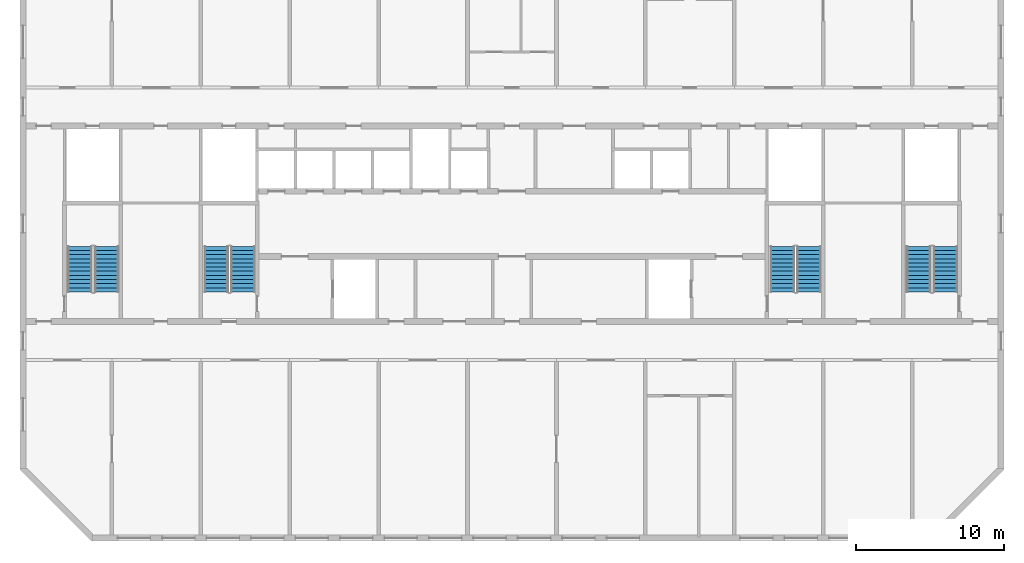
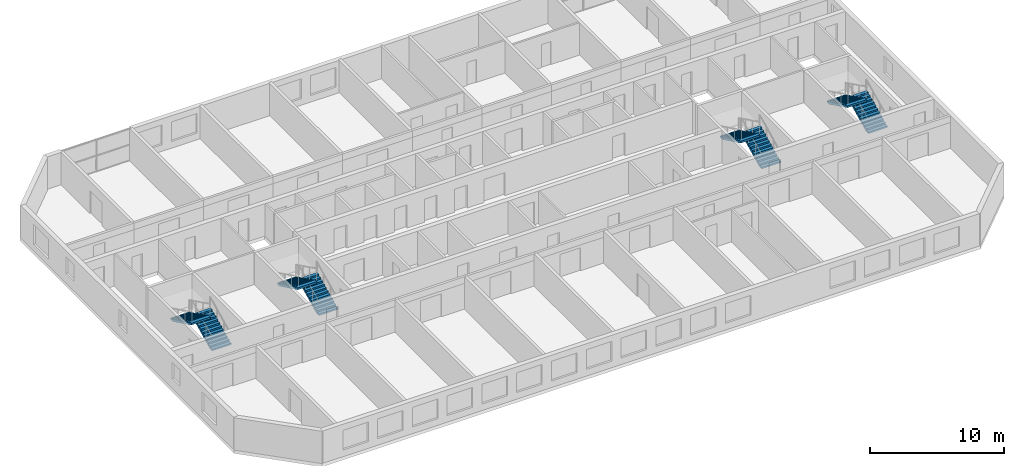
# One storey, part 11 of 13: 8 stair flights, 4 elements without a shape of their own.
"""IFC4 building model written with IfcOpenShell, lengths in metres."""

from ifc_helpers import new_model, si_unit, direction, frame, origin, place, context, subcontext, project, spatial, polyline, outline, extrude, material, layer, layer_set, type_object, element, aggregate, save


model = new_model("IFC4")

# Units and contexts
model_context = context("Model", 3, precision=1e-05, world=origin(), true_north=direction((0.0, 1.0)))
body_context = subcontext(model_context, "Body", "Model", "MODEL_VIEW")
ifc_project = project(units=[si_unit("LENGTHUNIT", "METRE"), si_unit("AREAUNIT", "SQUARE_METRE"), si_unit("VOLUMEUNIT", "CUBIC_METRE"), si_unit("PLANEANGLEUNIT", "RADIAN"), si_unit("MASSUNIT", "GRAM", prefix="KILO")], contexts=[model_context])

# Site, building, storey
site_placement = place(None, origin())
site = spatial("IfcSite", under=ifc_project, at=site_placement, CompositionType="ELEMENT")
building_placement = place(site_placement, origin())
building = spatial("IfcBuilding", under=site, at=building_placement, Name="Poui Terraces", CompositionType="ELEMENT")
storey_placement = place(building_placement, frame((0.0, 0.0, 211.5)))
storey = spatial("IfcBuildingStorey", under=building, at=storey_placement, Name="L59", CompositionType="ELEMENT", Elevation=211.5)

# Stair, stair flights
ifc_material = material(Name="Concrete 50 MPa", Category="concrete")
stair_type = type_object("IfcStairType", Name="EXIT STAIR 1650 50 MPA", PredefinedType="HALF_TURN_STAIR", material=ifc_material)
stair_1_placement = place(storey_placement, origin())
stair_1 = element("IfcStair", 1, at=stair_1_placement, inside=storey, type_object=stair_type, Name="L59 CORE STAIR EAST", PredefinedType="HALF_TURN_STAIR")
ifc_layer = layer(ifc_material, 0.14990234375)
ifc_layer_set = layer_set([ifc_layer], Name="Concrete 50 MPa")
stair_flight_type = type_object("IfcStairFlightType", Name="STAIR FLIGHT 12 RISERS 138 RISE 50 MPA", PredefinedType="STRAIGHT", material=ifc_layer_set)
stair_flight_1_placement = place(storey_placement, frame((71.050048828125, 16.60009765625, 0.0), z_axis=(0.0, 0.0, 1.0), x_axis=(0.0, 1.0, 0.0)))
stair_flight_1 = element("IfcStairFlight", 2, at=stair_flight_1_placement, type_object=stair_flight_type, Name="ST-CE flight 1", NumberOfRisers=12, NumberOfTreads=11, PredefinedType="STRAIGHT", RiserHeight=0.1375, TreadLength=0.28, context=body_context, shape_type="SweptSolid", body=[
    extrude(outline(polyline([(0.0, 0.0), (0.0, 0.137451171875), (0.280029296875, 0.137451171875), (0.280029296875, 0.27490234375), (0.56005859375, 0.27490234375), (0.56005859375, 0.41259765625), (0.840087890625, 0.41259765625), (0.840087890625, 0.550048828125), (1.1201171875, 0.550048828125), (1.1201171875, 0.6875), (1.39990234375, 0.6875), (1.39990234375, 0.824951171875), (1.679931640625, 0.824951171875), (1.679931640625, 0.96240234375), (1.9599609375, 0.96240234375), (1.9599609375, 1.10009765625), (2.239990234375, 1.10009765625), (2.239990234375, 1.237548828125), (2.52001953125, 1.237548828125), (2.52001953125, 1.375), (2.800048828125, 1.375), (2.800048828125, 1.512451171875), (3.080078125, 1.512451171875), (3.080078125, 1.64990234375), (3.080078125, 1.345458984375), (0.340087890625, 0.0), (0.0, 0.0)])), frame((0.0, 0.824951171875, 0.0), z_axis=(0.0, -1.0, 0.0), x_axis=(1.0, 0.0, 0.0)), (0.0, 0.0, 1.0), 1.64990234375),
])
stair_flight_2_placement = place(storey_placement, frame((69.25, 19.679931640625, 1.64990234375), z_axis=(0.0, 0.0, 1.0), x_axis=(0.0, -1.0, 0.0)))
stair_flight_2 = element("IfcStairFlight", 3, at=stair_flight_2_placement, type_object=stair_flight_type, Name="ST-CE flight 2", NumberOfRisers=12, NumberOfTreads=11, PredefinedType="STRAIGHT", RiserHeight=0.1375, TreadLength=0.28, context=body_context, shape_type="SweptSolid", body=[
    extrude(outline(polyline([(0.0, 0.0), (0.0, 0.137451171875), (0.280029296875, 0.137451171875), (0.280029296875, 0.27490234375), (0.56005859375, 0.27490234375), (0.56005859375, 0.41259765625), (0.840087890625, 0.41259765625), (0.840087890625, 0.550048828125), (1.1201171875, 0.550048828125), (1.1201171875, 0.6875), (1.39990234375, 0.6875), (1.39990234375, 0.824951171875), (1.679931640625, 0.824951171875), (1.679931640625, 0.96240234375), (1.9599609375, 0.96240234375), (1.9599609375, 1.10009765625), (2.239990234375, 1.10009765625), (2.239990234375, 1.237548828125), (2.52001953125, 1.237548828125), (2.52001953125, 1.375), (2.800048828125, 1.375), (2.800048828125, 1.512451171875), (3.080078125, 1.512451171875), (3.080078125, 1.64990234375), (3.080078125, 1.345458984375), (0.340087890625, 0.0), (0.0, 0.0)])), frame((0.0, 0.824951171875, 0.0), z_axis=(0.0, -1.0, 0.0), x_axis=(1.0, 0.0, 0.0)), (0.0, 0.0, 1.0), 1.64990234375),
])
aggregate(stair_1, [stair_flight_1, stair_flight_2])

stair_2_placement = place(storey_placement, origin())
stair_2 = element("IfcStair", 4, at=stair_2_placement, inside=storey, type_object=stair_type, Name="L59 CORE STAIR WEST", PredefinedType="HALF_TURN_STAIR")
stair_flight_3_placement = place(storey_placement, frame((32.85009765625, 16.60009765625, 0.0), z_axis=(0.0, 0.0, 1.0), x_axis=(0.0, 1.0, 0.0)))
stair_flight_3 = element("IfcStairFlight", 5, at=stair_flight_3_placement, type_object=stair_flight_type, Name="ST-CW flight 1", NumberOfRisers=12, NumberOfTreads=11, PredefinedType="STRAIGHT", RiserHeight=0.1375, TreadLength=0.28, context=body_context, shape_type="SweptSolid", body=[
    extrude(outline(polyline([(0.0, 0.0), (0.0, 0.137451171875), (0.280029296875, 0.137451171875), (0.280029296875, 0.27490234375), (0.56005859375, 0.27490234375), (0.56005859375, 0.41259765625), (0.840087890625, 0.41259765625), (0.840087890625, 0.550048828125), (1.1201171875, 0.550048828125), (1.1201171875, 0.6875), (1.39990234375, 0.6875), (1.39990234375, 0.824951171875), (1.679931640625, 0.824951171875), (1.679931640625, 0.96240234375), (1.9599609375, 0.96240234375), (1.9599609375, 1.10009765625), (2.239990234375, 1.10009765625), (2.239990234375, 1.237548828125), (2.52001953125, 1.237548828125), (2.52001953125, 1.375), (2.800048828125, 1.375), (2.800048828125, 1.512451171875), (3.080078125, 1.512451171875), (3.080078125, 1.64990234375), (3.080078125, 1.345458984375), (0.340087890625, 0.0), (0.0, 0.0)])), frame((0.0, 0.824951171875, 0.0), z_axis=(0.0, -1.0, 0.0), x_axis=(1.0, 0.0, 0.0)), (0.0, 0.0, 1.0), 1.64990234375),
])
stair_flight_4_placement = place(storey_placement, frame((31.050048828125, 19.679931640625, 1.64990234375), z_axis=(0.0, 0.0, 1.0), x_axis=(0.0, -1.0, 0.0)))
stair_flight_4 = element("IfcStairFlight", 6, at=stair_flight_4_placement, type_object=stair_flight_type, Name="ST-CW flight 2", NumberOfRisers=12, NumberOfTreads=11, PredefinedType="STRAIGHT", RiserHeight=0.1375, TreadLength=0.28, context=body_context, shape_type="SweptSolid", body=[
    extrude(outline(polyline([(0.0, 0.0), (0.0, 0.137451171875), (0.280029296875, 0.137451171875), (0.280029296875, 0.27490234375), (0.56005859375, 0.27490234375), (0.56005859375, 0.41259765625), (0.840087890625, 0.41259765625), (0.840087890625, 0.550048828125), (1.1201171875, 0.550048828125), (1.1201171875, 0.6875), (1.39990234375, 0.6875), (1.39990234375, 0.824951171875), (1.679931640625, 0.824951171875), (1.679931640625, 0.96240234375), (1.9599609375, 0.96240234375), (1.9599609375, 1.10009765625), (2.239990234375, 1.10009765625), (2.239990234375, 1.237548828125), (2.52001953125, 1.237548828125), (2.52001953125, 1.375), (2.800048828125, 1.375), (2.800048828125, 1.512451171875), (3.080078125, 1.512451171875), (3.080078125, 1.64990234375), (3.080078125, 1.345458984375), (0.340087890625, 0.0), (0.0, 0.0)])), frame((0.0, 0.824951171875, 0.0), z_axis=(0.0, -1.0, 0.0), x_axis=(1.0, 0.0, 0.0)), (0.0, 0.0, 1.0), 1.64990234375),
])
aggregate(stair_2, [stair_flight_3, stair_flight_4])

stair_3_placement = place(storey_placement, origin())
stair_3 = element("IfcStair", 7, at=stair_3_placement, inside=storey, type_object=stair_type, Name="L59 TIP STAIR EAST", PredefinedType="HALF_TURN_STAIR")
stair_flight_5_placement = place(storey_placement, frame((80.25, 16.60009765625, 0.0), z_axis=(0.0, 0.0, 1.0), x_axis=(0.0, 1.0, 0.0)))
stair_flight_5 = element("IfcStairFlight", 8, at=stair_flight_5_placement, type_object=stair_flight_type, Name="ST-E flight 1", NumberOfRisers=12, NumberOfTreads=11, PredefinedType="STRAIGHT", RiserHeight=0.1375, TreadLength=0.28, context=body_context, shape_type="SweptSolid", body=[
    extrude(outline(polyline([(0.0, 0.0), (0.0, 0.137451171875), (0.280029296875, 0.137451171875), (0.280029296875, 0.27490234375), (0.56005859375, 0.27490234375), (0.56005859375, 0.41259765625), (0.840087890625, 0.41259765625), (0.840087890625, 0.550048828125), (1.1201171875, 0.550048828125), (1.1201171875, 0.6875), (1.39990234375, 0.6875), (1.39990234375, 0.824951171875), (1.679931640625, 0.824951171875), (1.679931640625, 0.96240234375), (1.9599609375, 0.96240234375), (1.9599609375, 1.10009765625), (2.239990234375, 1.10009765625), (2.239990234375, 1.237548828125), (2.52001953125, 1.237548828125), (2.52001953125, 1.375), (2.800048828125, 1.375), (2.800048828125, 1.512451171875), (3.080078125, 1.512451171875), (3.080078125, 1.64990234375), (3.080078125, 1.345458984375), (0.340087890625, 0.0), (0.0, 0.0)])), frame((0.0, 0.824951171875, 0.0), z_axis=(0.0, -1.0, 0.0), x_axis=(1.0, 0.0, 0.0)), (0.0, 0.0, 1.0), 1.64990234375),
])
stair_flight_6_placement = place(storey_placement, frame((78.449951171875, 19.679931640625, 1.64990234375), z_axis=(0.0, 0.0, 1.0), x_axis=(0.0, -1.0, 0.0)))
stair_flight_6 = element("IfcStairFlight", 9, at=stair_flight_6_placement, type_object=stair_flight_type, Name="ST-E flight 2", NumberOfRisers=12, NumberOfTreads=11, PredefinedType="STRAIGHT", RiserHeight=0.1375, TreadLength=0.28, context=body_context, shape_type="SweptSolid", body=[
    extrude(outline(polyline([(0.0, 0.0), (0.0, 0.137451171875), (0.280029296875, 0.137451171875), (0.280029296875, 0.27490234375), (0.56005859375, 0.27490234375), (0.56005859375, 0.41259765625), (0.840087890625, 0.41259765625), (0.840087890625, 0.550048828125), (1.1201171875, 0.550048828125), (1.1201171875, 0.6875), (1.39990234375, 0.6875), (1.39990234375, 0.824951171875), (1.679931640625, 0.824951171875), (1.679931640625, 0.96240234375), (1.9599609375, 0.96240234375), (1.9599609375, 1.10009765625), (2.239990234375, 1.10009765625), (2.239990234375, 1.237548828125), (2.52001953125, 1.237548828125), (2.52001953125, 1.375), (2.800048828125, 1.375), (2.800048828125, 1.512451171875), (3.080078125, 1.512451171875), (3.080078125, 1.64990234375), (3.080078125, 1.345458984375), (0.340087890625, 0.0), (0.0, 0.0)])), frame((0.0, 0.824951171875, 0.0), z_axis=(0.0, -1.0, 0.0), x_axis=(1.0, 0.0, 0.0)), (0.0, 0.0, 1.0), 1.64990234375),
])
aggregate(stair_3, [stair_flight_5, stair_flight_6])

stair_4_placement = place(storey_placement, origin())
stair_4 = element("IfcStair", 10, at=stair_4_placement, inside=storey, type_object=stair_type, Name="L59 TIP STAIR WEST", PredefinedType="HALF_TURN_STAIR")
stair_flight_7_placement = place(storey_placement, frame((23.64990234375, 16.60009765625, 0.0), z_axis=(0.0, 0.0, 1.0), x_axis=(0.0, 1.0, 0.0)))
stair_flight_7 = element("IfcStairFlight", 11, at=stair_flight_7_placement, type_object=stair_flight_type, Name="ST-W flight 1", NumberOfRisers=12, NumberOfTreads=11, PredefinedType="STRAIGHT", RiserHeight=0.1375, TreadLength=0.28, context=body_context, shape_type="SweptSolid", body=[
    extrude(outline(polyline([(0.0, 0.0), (0.0, 0.137451171875), (0.280029296875, 0.137451171875), (0.280029296875, 0.27490234375), (0.56005859375, 0.27490234375), (0.56005859375, 0.41259765625), (0.840087890625, 0.41259765625), (0.840087890625, 0.550048828125), (1.1201171875, 0.550048828125), (1.1201171875, 0.6875), (1.39990234375, 0.6875), (1.39990234375, 0.824951171875), (1.679931640625, 0.824951171875), (1.679931640625, 0.96240234375), (1.9599609375, 0.96240234375), (1.9599609375, 1.10009765625), (2.239990234375, 1.10009765625), (2.239990234375, 1.237548828125), (2.52001953125, 1.237548828125), (2.52001953125, 1.375), (2.800048828125, 1.375), (2.800048828125, 1.512451171875), (3.080078125, 1.512451171875), (3.080078125, 1.64990234375), (3.080078125, 1.345458984375), (0.340087890625, 0.0), (0.0, 0.0)])), frame((0.0, 0.824951171875, 0.0), z_axis=(0.0, -1.0, 0.0), x_axis=(1.0, 0.0, 0.0)), (0.0, 0.0, 1.0), 1.64990234375),
])
stair_flight_8_placement = place(storey_placement, frame((21.85009765625, 19.679931640625, 1.64990234375), z_axis=(0.0, 0.0, 1.0), x_axis=(0.0, -1.0, 0.0)))
stair_flight_8 = element("IfcStairFlight", 12, at=stair_flight_8_placement, type_object=stair_flight_type, Name="ST-W flight 2", NumberOfRisers=12, NumberOfTreads=11, PredefinedType="STRAIGHT", RiserHeight=0.1375, TreadLength=0.28, context=body_context, shape_type="SweptSolid", body=[
    extrude(outline(polyline([(0.0, 0.0), (0.0, 0.137451171875), (0.280029296875, 0.137451171875), (0.280029296875, 0.27490234375), (0.56005859375, 0.27490234375), (0.56005859375, 0.41259765625), (0.840087890625, 0.41259765625), (0.840087890625, 0.550048828125), (1.1201171875, 0.550048828125), (1.1201171875, 0.6875), (1.39990234375, 0.6875), (1.39990234375, 0.824951171875), (1.679931640625, 0.824951171875), (1.679931640625, 0.96240234375), (1.9599609375, 0.96240234375), (1.9599609375, 1.10009765625), (2.239990234375, 1.10009765625), (2.239990234375, 1.237548828125), (2.52001953125, 1.237548828125), (2.52001953125, 1.375), (2.800048828125, 1.375), (2.800048828125, 1.512451171875), (3.080078125, 1.512451171875), (3.080078125, 1.64990234375), (3.080078125, 1.345458984375), (0.340087890625, 0.0), (0.0, 0.0)])), frame((0.0, 0.824951171875, 0.0), z_axis=(0.0, -1.0, 0.0), x_axis=(1.0, 0.0, 0.0)), (0.0, 0.0, 1.0), 1.64990234375),
])
aggregate(stair_4, [stair_flight_7, stair_flight_8])

save(model, "model.ifc")
